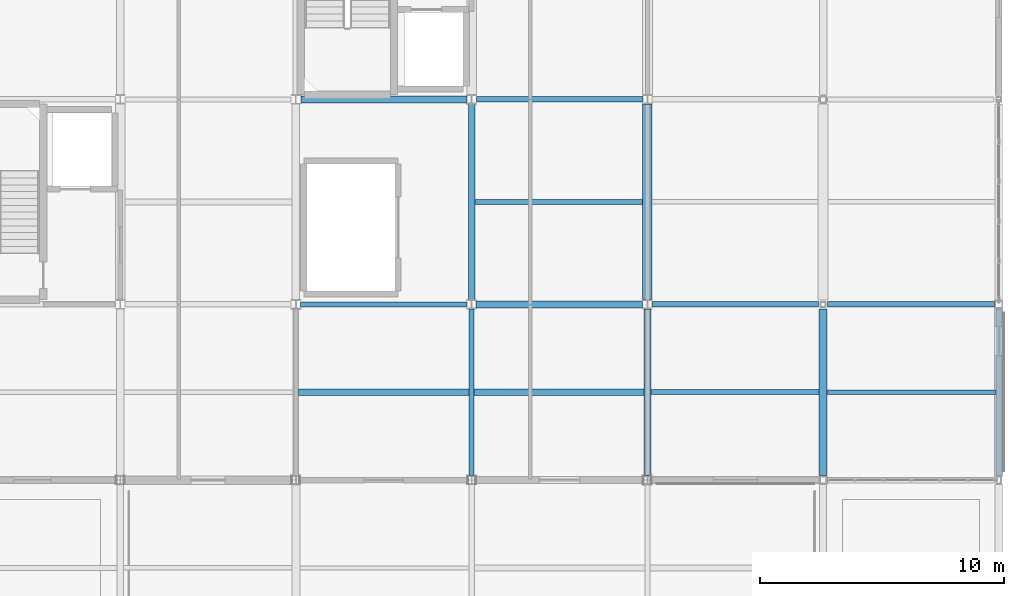
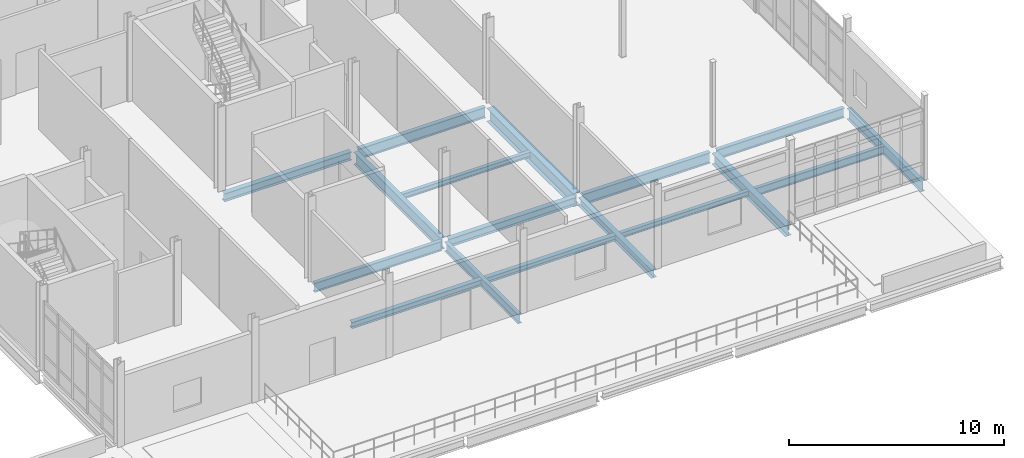
# One storey, part 80 of 153: 17 beams.
"""IFC4 building model written with IfcOpenShell, lengths in metres."""

from ifc_helpers import new_model, si_unit, direction, frame, origin, origin_2d, place, context, subcontext, project, spatial, i_section, extrude, material, material_profile, profile_set, type_object, element, save


model = new_model("IFC4")

# Units and contexts
model_context = context("Model", 3, precision=1e-05, world=origin(), true_north=direction((0.0, 1.0)))
body_context = subcontext(model_context, "Body", "Model", "MODEL_VIEW")
ifc_project = project(units=[si_unit("LENGTHUNIT", "METRE"), si_unit("AREAUNIT", "SQUARE_METRE"), si_unit("VOLUMEUNIT", "CUBIC_METRE"), si_unit("PLANEANGLEUNIT", "RADIAN"), si_unit("MASSUNIT", "GRAM", prefix="KILO")], contexts=[model_context])

# Site, building, storey
site_placement = place(None, origin())
site = spatial("IfcSite", under=ifc_project, at=site_placement, CompositionType="ELEMENT")
building_placement = place(site_placement, origin())
building = spatial("IfcBuilding", under=site, at=building_placement, Name="Calvrana Isthmian Art Gallery", CompositionType="ELEMENT")
storey_placement = place(building_placement, frame((0.0, 0.0, 10.199951171875)))
storey = spatial("IfcBuildingStorey", under=building, at=storey_placement, Name="L02", CompositionType="ELEMENT", Elevation=10.199951171875)

# Beams
ifc_material = material(Name="Steel ASTM A992 Gr 50", Category="steel")
ifc_material_profile_1 = material_profile(ifc_material, i_section(OverallWidth=0.279052734375, OverallDepth=0.4619140625, WebThickness=0.0107421875, FlangeThickness=0.017333984375, FilletRadius=0.02001953125, at=origin_2d()), Name="W18X76")
ifc_profile_set_1 = profile_set([ifc_material_profile_1], Name="Steel ASTM A992 Gr 50")
beam_type_1 = type_object("IfcBeamType", Name="BM-G-W18X76", PredefinedType="BEAM", material=ifc_profile_set_1)
beam_1_placement = place(storey_placement, frame((134.58642578125, 21.60009765625, -0.495849609375), z_axis=(1.0, 0.0, 0.0), x_axis=(0.0, 1.0, 0.0)))
element("IfcBeam", 1, at=beam_1_placement, inside=storey, type_object=beam_type_1, Name="Girder X L02 18-19/D", PredefinedType="BEAM", context=body_context, shape_type="SweptSolid", body=[
    extrude(i_section(OverallWidth=0.279052734375, OverallDepth=0.4619140625, WebThickness=0.0107421875, FlangeThickness=0.017333984375, FilletRadius=0.02001953125, at=origin_2d()), origin(), (0.0, 0.0, 1.0), 6.81396484375),
])
beam_2_placement = place(storey_placement, frame((127.39794921875, 30.0, -0.495849609375), z_axis=(1.0, 0.0, 0.0), x_axis=(0.0, 1.0, 0.0)))
element("IfcBeam", 2, at=beam_2_placement, inside=storey, type_object=beam_type_1, Name="Girder X L02 17-18/E", PredefinedType="BEAM", context=body_context, shape_type="SweptSolid", body=[
    extrude(i_section(OverallWidth=0.279052734375, OverallDepth=0.4619140625, WebThickness=0.0107421875, FlangeThickness=0.017333984375, FilletRadius=0.02001953125, at=origin_2d()), origin(), (0.0, 0.0, 1.0), 6.804931640625),
])
beam_3_placement = place(storey_placement, frame((141.60009765625, 14.583984375, -0.495849609375), z_axis=(0.0, 1.0, 0.0), x_axis=(-1.0, 0.0, 0.0)))
element("IfcBeam", 3, at=beam_3_placement, inside=storey, type_object=beam_type_1, Name="Girder Y L02 19/C-D", PredefinedType="BEAM", context=body_context, shape_type="SweptSolid", body=[
    extrude(i_section(OverallWidth=0.279052734375, OverallDepth=0.4619140625, WebThickness=0.0107421875, FlangeThickness=0.017333984375, FilletRadius=0.02001953125, at=origin_2d()), origin(), (0.0, 0.0, 1.0), 6.822998046875),
])
ifc_material_profile_2 = material_profile(ifc_material, i_section(OverallWidth=0.208984375, OverallDepth=0.532958984375, WebThickness=0.01025390625, FlangeThickness=0.015625, FilletRadius=0.02099609375, at=origin_2d()), Name="W21X62")
ifc_profile_set_2 = profile_set([ifc_material_profile_2], Name="Steel ASTM A992 Gr 50")
beam_type_2 = type_object("IfcBeamType", Name="BM-G-W21X62", PredefinedType="BEAM", material=ifc_profile_set_2)
beam_4_placement = place(storey_placement, frame((127.39697265625, 21.60009765625, -0.531494140625), z_axis=(1.0, 0.0, 0.0), x_axis=(0.0, 1.0, 0.0)))
element("IfcBeam", 4, at=beam_4_placement, inside=storey, type_object=beam_type_2, Name="Girder X L02 17-18/D", PredefinedType="BEAM", context=body_context, shape_type="SweptSolid", body=[
    extrude(i_section(OverallWidth=0.208984375, OverallDepth=0.532958984375, WebThickness=0.01025390625, FlangeThickness=0.015625, FilletRadius=0.02099609375, at=origin_2d()), origin(), (0.0, 0.0, 1.0), 6.81640625),
])
beam_5_placement = place(storey_placement, frame((134.39990234375, 14.58642578125, -0.531494140625), z_axis=(0.0, 1.0, 0.0), x_axis=(-1.0, 0.0, 0.0)))
element("IfcBeam", 5, at=beam_5_placement, inside=storey, type_object=beam_type_2, Name="Girder Y L02 18/C-D", PredefinedType="BEAM", context=body_context, shape_type="SweptSolid", body=[
    extrude(i_section(OverallWidth=0.208984375, OverallDepth=0.532958984375, WebThickness=0.01025390625, FlangeThickness=0.015625, FilletRadius=0.02099609375, at=origin_2d()), origin(), (0.0, 0.0, 1.0), 6.8271484375),
])
ifc_material_profile_3 = material_profile(ifc_material, i_section(OverallWidth=0.214111328125, OverallDepth=0.549072265625, WebThickness=0.0146484375, FlangeThickness=0.023681640625, FilletRadius=0.02099609375, at=origin_2d()), Name="W21X93")
ifc_profile_set_3 = profile_set([ifc_material_profile_3], Name="Steel ASTM A992 Gr 50")
beam_type_3 = type_object("IfcBeamType", Name="BM-G-W21X93", PredefinedType="BEAM", material=ifc_profile_set_3)
beam_6_placement = place(storey_placement, frame((148.986572265625, 21.60009765625, -0.53955078125), z_axis=(1.0, 0.0, 0.0), x_axis=(0.0, 1.0, 0.0)))
element("IfcBeam", 6, at=beam_6_placement, inside=storey, type_object=beam_type_3, Name="Girder X L02 20-21/D", PredefinedType="BEAM", context=body_context, shape_type="SweptSolid", body=[
    extrude(i_section(OverallWidth=0.214111328125, OverallDepth=0.549072265625, WebThickness=0.0146484375, FlangeThickness=0.023681640625, FilletRadius=0.02099609375, at=origin_2d()), origin(), (0.0, 0.0, 1.0), 6.827880859375),
])
ifc_material_profile_4 = material_profile(ifc_material, i_section(OverallWidth=0.324951171875, OverallDepth=0.612060546875, WebThickness=0.0126953125, FlangeThickness=0.01904296875, FilletRadius=0.02197265625, at=origin_2d()), Name="W24X104")
ifc_profile_set_4 = profile_set([ifc_material_profile_4], Name="Steel ASTM A992 Gr 50")
beam_type_4 = type_object("IfcBeamType", Name="BM-G-W24X104", PredefinedType="BEAM", material=ifc_profile_set_4)
beam_7_placement = place(storey_placement, frame((148.800048828125, 14.58154296875, -0.571044921875), z_axis=(0.0, 1.0, 0.0), x_axis=(-1.0, 0.0, 0.0)))
element("IfcBeam", 7, at=beam_7_placement, inside=storey, type_object=beam_type_4, Name="Girder Y L02 20/C-D", PredefinedType="BEAM", context=body_context, shape_type="SweptSolid", body=[
    extrude(i_section(OverallWidth=0.324951171875, OverallDepth=0.612060546875, WebThickness=0.0126953125, FlangeThickness=0.01904296875, FilletRadius=0.02197265625, at=origin_2d()), origin(), (0.0, 0.0, 1.0), 6.83447265625),
])
ifc_material_profile_5 = material_profile(ifc_material, i_section(OverallWidth=0.22802734375, OverallDepth=0.60693359375, WebThickness=0.01123046875, FlangeThickness=0.017333984375, FilletRadius=0.02197265625, at=origin_2d()), Name="W24X76")
ifc_profile_set_5 = profile_set([ifc_material_profile_5], Name="Steel ASTM A992 Gr 50")
beam_type_5 = type_object("IfcBeamType", Name="BM-G-W24X76", PredefinedType="BEAM", material=ifc_profile_set_5)
beam_8_placement = place(storey_placement, frame((141.799560546875, 21.60009765625, -0.568359375), z_axis=(1.0, 0.0, 0.0), x_axis=(0.0, 1.0, 0.0)))
element("IfcBeam", 8, at=beam_8_placement, inside=storey, type_object=beam_type_5, Name="Girder X L02 19-20/D", PredefinedType="BEAM", context=body_context, shape_type="SweptSolid", body=[
    extrude(i_section(OverallWidth=0.22802734375, OverallDepth=0.60693359375, WebThickness=0.01123046875, FlangeThickness=0.017333984375, FilletRadius=0.02197265625, at=origin_2d()), origin(), (0.0, 0.0, 1.0), 6.81396484375),
])
beam_9_placement = place(storey_placement, frame((134.596923828125, 30.0, -0.568359375), z_axis=(1.0, 0.0, 0.0), x_axis=(0.0, 1.0, 0.0)))
element("IfcBeam", 9, at=beam_9_placement, inside=storey, type_object=beam_type_5, Name="Girder X L02 18-19/E", PredefinedType="BEAM", context=body_context, shape_type="SweptSolid", body=[
    extrude(i_section(OverallWidth=0.22802734375, OverallDepth=0.60693359375, WebThickness=0.01123046875, FlangeThickness=0.017333984375, FilletRadius=0.02197265625, at=origin_2d()), origin(), (0.0, 0.0, 1.0), 6.816650390625),
])
beam_10_placement = place(storey_placement, frame((156.0, 14.577880859375, -0.568359375), z_axis=(0.0, 1.0, 0.0), x_axis=(-1.0, 0.0, 0.0)))
element("IfcBeam", 10, at=beam_10_placement, inside=storey, type_object=beam_type_5, Name="Girder Y L02 21/C-D", PredefinedType="BEAM", context=body_context, shape_type="SweptSolid", body=[
    extrude(i_section(OverallWidth=0.22802734375, OverallDepth=0.60693359375, WebThickness=0.01123046875, FlangeThickness=0.017333984375, FilletRadius=0.02197265625, at=origin_2d()), origin(), (0.0, 0.0, 1.0), 6.840576171875),
])
ifc_material_profile_6 = material_profile(ifc_material, i_section(OverallWidth=0.257080078125, OverallDepth=0.693115234375, WebThickness=0.014404296875, FlangeThickness=0.023681640625, FilletRadius=0.02392578125, at=origin_2d()), Name="W27X114")
ifc_profile_set_6 = profile_set([ifc_material_profile_6], Name="Steel ASTM A992 Gr 50")
beam_type_6 = type_object("IfcBeamType", Name="BM-G-W27X114", PredefinedType="BEAM", material=ifc_profile_set_6)
beam_11_placement = place(storey_placement, frame((134.39990234375, 21.78662109375, -0.611572265625), z_axis=(0.0, 1.0, 0.0), x_axis=(-1.0, 0.0, 0.0)))
element("IfcBeam", 11, at=beam_11_placement, inside=storey, type_object=beam_type_6, Name="Girder Y L02 18/D-E", PredefinedType="BEAM", context=body_context, shape_type="SweptSolid", body=[
    extrude(i_section(OverallWidth=0.257080078125, OverallDepth=0.693115234375, WebThickness=0.014404296875, FlangeThickness=0.023681640625, FilletRadius=0.02392578125, at=origin_2d()), origin(), (0.0, 0.0, 1.0), 8.025390625),
])
ifc_material_profile_7 = material_profile(ifc_material, i_section(OverallWidth=0.381103515625, OverallDepth=0.77197265625, WebThickness=0.0166015625, FlangeThickness=0.027099609375, FilletRadius=0.02490234375, at=origin_2d()), Name="W30X173")
ifc_profile_set_7 = profile_set([ifc_material_profile_7], Name="Steel ASTM A992 Gr 50")
beam_type_7 = type_object("IfcBeamType", Name="BM-G-W30X173", PredefinedType="BEAM", material=ifc_profile_set_7)
beam_12_placement = place(storey_placement, frame((141.60009765625, 21.79296875, -0.65087890625), z_axis=(0.0, 1.0, 0.0), x_axis=(-1.0, 0.0, 0.0)))
element("IfcBeam", 12, at=beam_12_placement, inside=storey, type_object=beam_type_7, Name="Girder Y L02 19/D-E", PredefinedType="BEAM", context=body_context, shape_type="SweptSolid", body=[
    extrude(i_section(OverallWidth=0.381103515625, OverallDepth=0.77197265625, WebThickness=0.0166015625, FlangeThickness=0.027099609375, FilletRadius=0.02490234375, at=origin_2d()), origin(), (0.0, 0.0, 1.0), 8.0205078125),
])
ifc_material_profile_8 = material_profile(ifc_material, i_section(OverallWidth=0.202880859375, OverallDepth=0.302001953125, WebThickness=0.007568359375, FlangeThickness=0.01318359375, FilletRadius=0.01611328125, at=origin_2d()), Name="W12X40")
ifc_profile_set_8 = profile_set([ifc_material_profile_8], Name="Steel ASTM A992 Gr 50")
beam_type_8 = type_object("IfcBeamType", Name="BM-J-W12X40", PredefinedType="JOIST", material=ifc_profile_set_8)
beam_13_placement = place(storey_placement, frame((134.528564453125, 25.800048828125, -0.416015625), z_axis=(1.0, 0.0, 0.0), x_axis=(0.0, 1.0, 0.0)))
element("IfcBeam", 13, at=beam_13_placement, inside=storey, type_object=beam_type_8, Name="Composite joist L02 bay 17-03", PredefinedType="JOIST", context=body_context, shape_type="SweptSolid", body=[
    extrude(i_section(OverallWidth=0.202880859375, OverallDepth=0.302001953125, WebThickness=0.007568359375, FlangeThickness=0.01318359375, FilletRadius=0.01611328125, at=origin_2d()), origin(), (0.0, 0.0, 1.0), 6.880859375),
])
beam_14_placement = place(storey_placement, frame((141.739501953125, 18.0, -0.416015625), z_axis=(1.0, 0.0, 0.0), x_axis=(0.0, 1.0, 0.0)))
element("IfcBeam", 14, at=beam_14_placement, inside=storey, type_object=beam_type_8, Name="Composite joist L02 bay 18-02", PredefinedType="JOIST", context=body_context, shape_type="SweptSolid", body=[
    extrude(i_section(OverallWidth=0.202880859375, OverallDepth=0.302001953125, WebThickness=0.007568359375, FlangeThickness=0.01318359375, FilletRadius=0.01611328125, at=origin_2d()), origin(), (0.0, 0.0, 1.0), 6.89794921875),
])
ifc_material_profile_9 = material_profile(ifc_material, i_section(OverallWidth=0.25390625, OverallDepth=0.306884765625, WebThickness=0.0087890625, FlangeThickness=0.0146484375, FilletRadius=0.01611328125, at=origin_2d()), Name="W12X53")
ifc_profile_set_9 = profile_set([ifc_material_profile_9], Name="Steel ASTM A992 Gr 50")
beam_type_9 = type_object("IfcBeamType", Name="BM-J-W12X53", PredefinedType="JOIST", material=ifc_profile_set_9)
beam_15_placement = place(storey_placement, frame((134.50439453125, 18.0, -0.41845703125), z_axis=(1.0, 0.0, 0.0), x_axis=(0.0, 1.0, 0.0)))
element("IfcBeam", 15, at=beam_15_placement, inside=storey, type_object=beam_type_9, Name="Composite joist L02 bay 17-02", PredefinedType="JOIST", context=body_context, shape_type="SweptSolid", body=[
    extrude(i_section(OverallWidth=0.25390625, OverallDepth=0.306884765625, WebThickness=0.0087890625, FlangeThickness=0.0146484375, FilletRadius=0.01611328125, at=origin_2d()), origin(), (0.0, 0.0, 1.0), 6.9560546875),
])
ifc_material_profile_10 = material_profile(ifc_material, i_section(OverallWidth=0.25390625, OverallDepth=0.35302734375, WebThickness=0.009521484375, FlangeThickness=0.016357421875, FilletRadius=0.01806640625, at=origin_2d()), Name="W14X61")
ifc_profile_set_10 = profile_set([ifc_material_profile_10], Name="Steel ASTM A992 Gr 50")
beam_type_10 = type_object("IfcBeamType", Name="BM-J-W14X61", PredefinedType="JOIST", material=ifc_profile_set_10)
beam_16_placement = place(storey_placement, frame((127.31396484375, 18.0, -0.44140625), z_axis=(1.0, 0.0, 0.0), x_axis=(0.0, 1.0, 0.0)))
element("IfcBeam", 16, at=beam_16_placement, inside=storey, type_object=beam_type_10, Name="Composite joist L02 bay 16-02", PredefinedType="JOIST", context=body_context, shape_type="SweptSolid", body=[
    extrude(i_section(OverallWidth=0.25390625, OverallDepth=0.35302734375, WebThickness=0.009521484375, FlangeThickness=0.016357421875, FilletRadius=0.01806640625, at=origin_2d()), origin(), (0.0, 0.0, 1.0), 6.9814453125),
])
ifc_material_profile_11 = material_profile(ifc_material, i_section(OverallWidth=0.19091796875, OverallDepth=0.45703125, WebThickness=0.009033203125, FlangeThickness=0.014404296875, FilletRadius=0.02001953125, at=origin_2d()), Name="W18X50")
ifc_profile_set_11 = profile_set([ifc_material_profile_11], Name="Steel ASTM A992 Gr 50")
beam_type_11 = type_object("IfcBeamType", Name="BM-J-W18X50", PredefinedType="JOIST", material=ifc_profile_set_11)
beam_17_placement = place(storey_placement, frame((148.96240234375, 18.0, -0.493408203125), z_axis=(1.0, 0.0, 0.0), x_axis=(0.0, 1.0, 0.0)))
element("IfcBeam", 17, at=beam_17_placement, inside=storey, type_object=beam_type_11, Name="Composite joist L02 bay 19-02", PredefinedType="JOIST", context=body_context, shape_type="SweptSolid", body=[
    extrude(i_section(OverallWidth=0.19091796875, OverallDepth=0.45703125, WebThickness=0.009033203125, FlangeThickness=0.014404296875, FilletRadius=0.02001953125, at=origin_2d()), origin(), (0.0, 0.0, 1.0), 6.923583984375),
])

save(model, "model.ifc")
